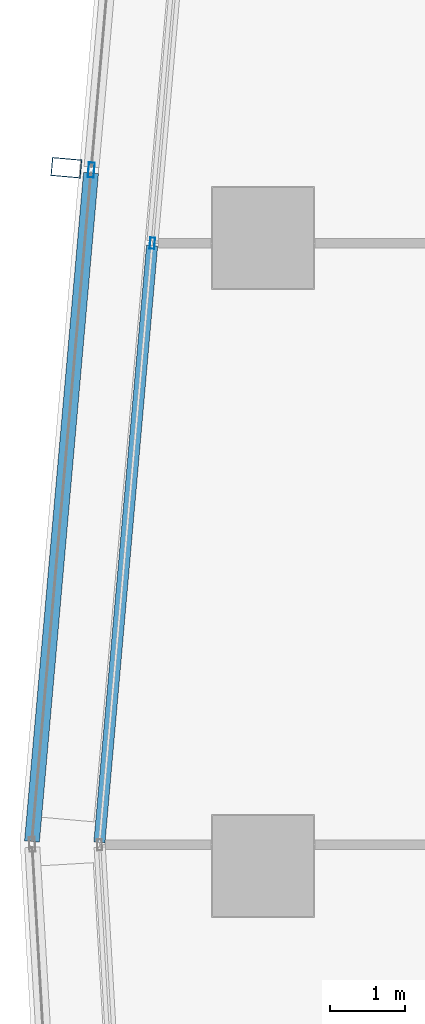
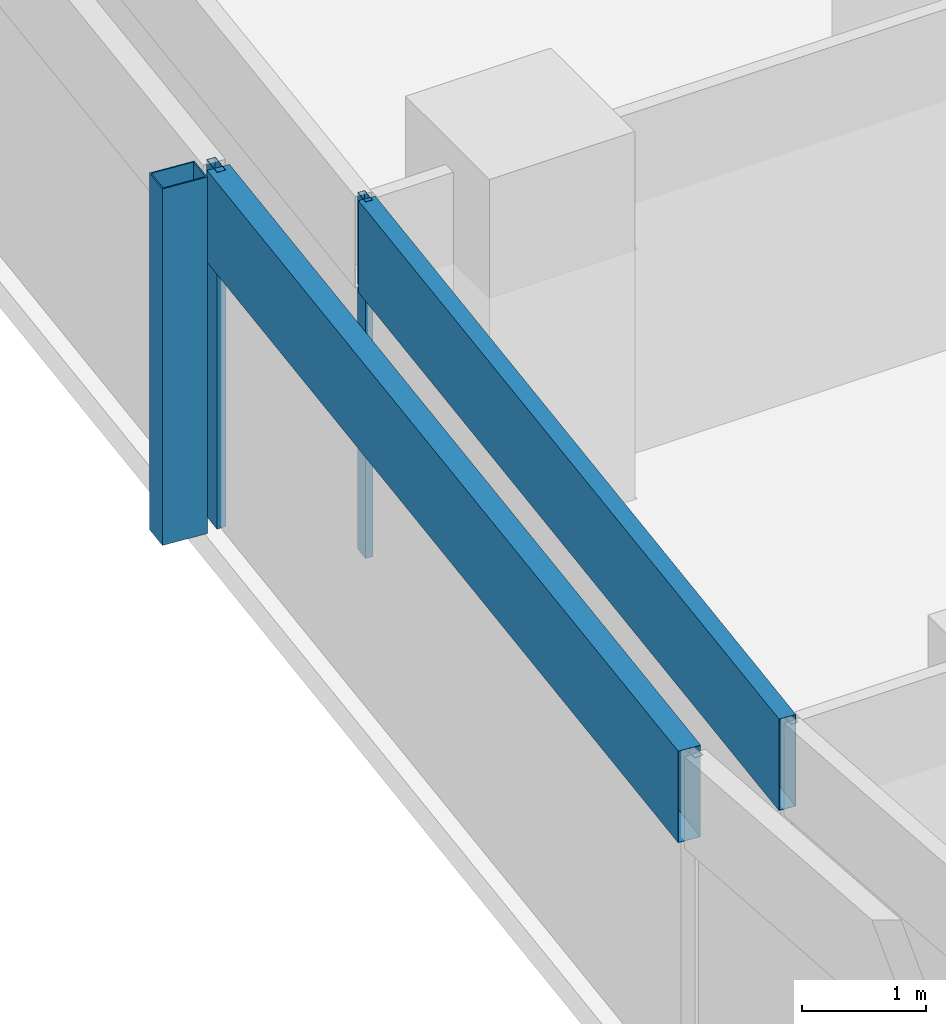
# One storey, part 16 of 39: 5 members, 2 elements without a shape of their own.
"""IFC4 building model written with IfcOpenShell, lengths in metres."""

from ifc_helpers import new_model, si_unit, direction, frame, origin, origin_2d, place, context, subcontext, project, spatial, hollow_rectangle, extrude, material, material_profile, profile_set, type_object, element, aggregate, save


model = new_model("IFC4")

# Units and contexts
model_context = context("Model", 3, precision=1e-05, world=origin(), true_north=direction((0.0, 1.0)))
body_context = subcontext(model_context, "Body", "Model", "MODEL_VIEW")
ifc_project = project(units=[si_unit("LENGTHUNIT", "METRE"), si_unit("AREAUNIT", "SQUARE_METRE"), si_unit("VOLUMEUNIT", "CUBIC_METRE"), si_unit("PLANEANGLEUNIT", "RADIAN"), si_unit("MASSUNIT", "GRAM", prefix="KILO")], contexts=[model_context])

# Site, building, storey
site_placement = place(None, origin())
site = spatial("IfcSite", under=ifc_project, at=site_placement, CompositionType="ELEMENT")
building_placement = place(site_placement, origin())
building = spatial("IfcBuilding", under=site, at=building_placement, Name="Rekha Terrace Tower", CompositionType="ELEMENT")
storey_placement = place(building_placement, frame((0.0, 0.0, 217.699951171875)))
storey = spatial("IfcBuildingStorey", under=building, at=storey_placement, Name="L55", CompositionType="ELEMENT", Elevation=217.699951171875)

# Curtain wall, member
ifc_material_1 = material(Name="Aluminium framing", Category="aluminium")
curtain_wall_type_1 = type_object("IfcCurtainWallType", Name="CW2 double skin outer glazing", PredefinedType="USERDEFINED", material=ifc_material_1)
curtain_wall_1_placement = place(storey_placement, origin())
curtain_wall_1 = element("IfcCurtainWall", 1, at=curtain_wall_1_placement, inside=storey, type_object=curtain_wall_type_1, Name="CW2 double skin outer glazing", ObjectType="DOUBLE SKIN OUTER GLAZING", PredefinedType="USERDEFINED")
ifc_material_2 = material(Name="Steel S355 with fluorocarbon finish", Category="steel")
ifc_material_profile_1 = material_profile(ifc_material_2, hollow_rectangle(XDim=0.25, YDim=0.39990234375, WallThickness=0.012451171875, at=origin_2d()), Name="RHS400x250x12.5")
ifc_profile_set_1 = profile_set([ifc_material_profile_1], Name="Steel S355 with fluorocarbon finish")
member_type_1 = type_object("IfcMemberType", Name="BL1 facade blade RHS 400 x 250", PredefinedType="USERDEFINED", material=ifc_profile_set_1)
member_1_placement = place(storey_placement, frame((5.77001953125, 51.341796875, 0.0), z_axis=(0.0, 0.0, 1.0), x_axis=(-0.087957249501, -0.996124250413, 0.0)))
member_1 = element("IfcMember", 2, at=member_1_placement, type_object=member_type_1, Name="Facade blade", ObjectType="FACADE BLADE", PredefinedType="USERDEFINED", context=body_context, shape_type="SweptSolid", body=[
    extrude(hollow_rectangle(XDim=0.25, YDim=0.39990234375, WallThickness=0.012451171875, at=origin_2d()), origin(), (0.0, 0.0, 1.0), 3.5),
])

# Curtain wall, members
curtain_wall_type_2 = type_object("IfcCurtainWallType", Name="CW1 double skin inner glazing", PredefinedType="USERDEFINED", material=ifc_material_1)
curtain_wall_2_placement = place(storey_placement, origin())
curtain_wall_2 = element("IfcCurtainWall", 3, at=curtain_wall_2_placement, inside=storey, type_object=curtain_wall_type_2, Name="CW1 double skin inner glazing", ObjectType="DOUBLE SKIN INNER GLAZING", PredefinedType="USERDEFINED")
ifc_material_3 = material(Name="Aluminium mullion section", Category="aluminium")
ifc_material_profile_2 = material_profile(ifc_material_3, hollow_rectangle(XDim=0.06494140625, YDim=0.14990234375, WallThickness=0.00390625, at=origin_2d()), Name="AL RHS 65x150")
ifc_profile_set_2 = profile_set([ifc_material_profile_2], Name="Aluminium mullion section")
member_type_2 = type_object("IfcMemberType", Name="CW1 mullion RHS 65 x 150", PredefinedType="MULLION", material=ifc_profile_set_2)
member_2_placement = place(storey_placement, frame((6.920654296875, 50.331787109375, 0.0), z_axis=(0.0, 0.0, 1.0), x_axis=(0.996124185422, -0.087957985523, 0.0)))
member_2 = element("IfcMember", 4, at=member_2_placement, type_object=member_type_2, Name="CW1 mullion 2", PredefinedType="MULLION", context=body_context, shape_type="SweptSolid", body=[
    extrude(hollow_rectangle(XDim=0.06494140625, YDim=0.14990234375, WallThickness=0.00390625, at=origin_2d()), origin(), (0.0, 0.0, 1.0), 3.5),
])
ifc_material_4 = material(Name="Insulated aluminium spandrel box", Category="aluminium")
ifc_material_profile_3 = material_profile(ifc_material_4, hollow_rectangle(XDim=0.14990234375, YDim=0.89990234375, WallThickness=0.0029296875, at=origin_2d()), Name="AL SPANDREL BOX 150x900")
ifc_profile_set_3 = profile_set([ifc_material_profile_3], Name="Insulated aluminium spandrel box")
member_type_3 = type_object("IfcMemberType", Name="CW1 spandrel transom 150 x 900", PredefinedType="USERDEFINED", material=ifc_profile_set_3)
member_3_placement = place(storey_placement, frame((6.917724609375, 50.29931640625, 3.050048828125), z_axis=(-0.087959586596, -0.996124044046, 0.0), x_axis=(0.996124044046, -0.087959586596, 0.0)))
member_3 = element("IfcMember", 5, at=member_3_placement, type_object=member_type_3, Name="CW1 spandrel transom 2", ObjectType="TRANSOM", PredefinedType="USERDEFINED", context=body_context, shape_type="SweptSolid", body=[
    extrude(hollow_rectangle(XDim=0.14990234375, YDim=0.89990234375, WallThickness=0.0029296875, at=origin_2d()), origin(), (0.0, 0.0, 1.0), 8.015869140625),
])
aggregate(curtain_wall_2, [member_2, member_3])

# Member
ifc_material_profile_4 = material_profile(ifc_material_3, hollow_rectangle(XDim=0.080078125, YDim=0.199951171875, WallThickness=0.00390625, at=origin_2d()), Name="AL RHS 80x200")
ifc_profile_set_4 = profile_set([ifc_material_profile_4], Name="Aluminium mullion section")
member_type_4 = type_object("IfcMemberType", Name="CW2 mullion RHS 80 x 200", PredefinedType="MULLION", material=ifc_profile_set_4)
member_4_placement = place(storey_placement, frame((6.103759765625, 51.312255859375, 0.0), z_axis=(0.0, 0.0, 1.0), x_axis=(0.996124185428, -0.087957985453, 0.0)))
member_4 = element("IfcMember", 6, at=member_4_placement, type_object=member_type_4, Name="CW2 mullion 2", PredefinedType="MULLION", context=body_context, shape_type="SweptSolid", body=[
    extrude(hollow_rectangle(XDim=0.080078125, YDim=0.199951171875, WallThickness=0.00390625, at=origin_2d()), origin(), (0.0, 0.0, 1.0), 3.5),
])

ifc_material_profile_5 = material_profile(ifc_material_4, hollow_rectangle(XDim=0.199951171875, YDim=0.89990234375, WallThickness=0.0029296875, at=origin_2d()), Name="AL SPANDREL BOX 200x900")
ifc_profile_set_5 = profile_set([ifc_material_profile_5], Name="Insulated aluminium spandrel box")
member_type_5 = type_object("IfcMemberType", Name="CW2 spandrel transom 200 x 900", PredefinedType="USERDEFINED", material=ifc_profile_set_5)
member_5_placement = place(storey_placement, frame((6.100341796875, 51.2724609375, 3.050048828125), z_axis=(-0.087981092326, -0.996122144816, 0.0), x_axis=(0.996122144816, -0.087981092326, 0.0)))
member_5 = element("IfcMember", 7, at=member_5_placement, type_object=member_type_5, Name="CW2 spandrel transom 2", ObjectType="TRANSOM", PredefinedType="USERDEFINED", context=body_context, shape_type="SweptSolid", body=[
    extrude(hollow_rectangle(XDim=0.199951171875, YDim=0.89990234375, WallThickness=0.0029296875, at=origin_2d()), origin(), (0.0, 0.0, 1.0), 8.979736328125),
])

aggregate(curtain_wall_1, [member_4, member_5, member_1])

save(model, "model.ifc")
